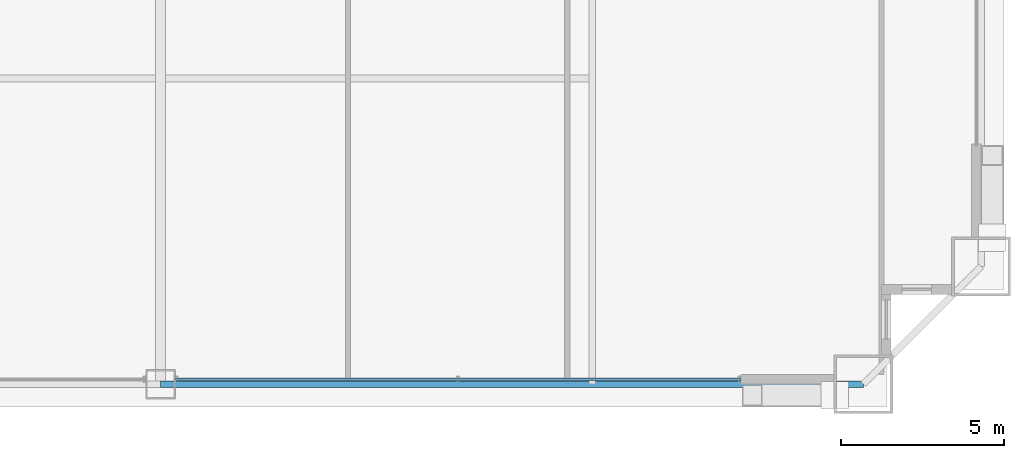
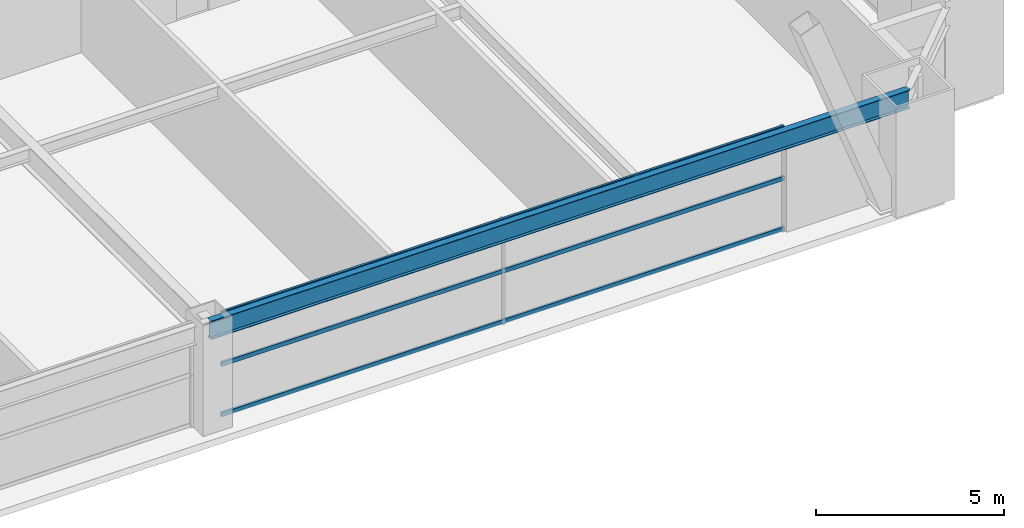
# One storey, part 14 of 43: 3 members, 1 beam, 1 element without a shape of its own.
"""IFC4 building model written with IfcOpenShell, lengths in metres."""

from ifc_helpers import new_model, si_unit, direction, frame, origin, origin_2d, place, context, subcontext, project, spatial, hollow_rectangle, i_section, extrude, source, transform, mapped, material, layer, layer_set, material_profile, profile_set, type_object, element, aggregate, save


model = new_model("IFC4")

# Units and contexts
model_context = context("Model", 3, precision=1e-05, world=origin(), true_north=direction((0.0, 1.0)))
body_context = subcontext(model_context, "Body", "Model", "MODEL_VIEW")
ifc_project = project(units=[si_unit("LENGTHUNIT", "METRE"), si_unit("AREAUNIT", "SQUARE_METRE"), si_unit("VOLUMEUNIT", "CUBIC_METRE"), si_unit("PLANEANGLEUNIT", "RADIAN"), si_unit("MASSUNIT", "GRAM", prefix="KILO"), si_unit("THERMODYNAMICTEMPERATUREUNIT", "KELVIN"), si_unit("POWERUNIT", "WATT")], contexts=[model_context])

# Site, building, storey
site_placement = place(None, origin())
site = spatial("IfcSite", under=ifc_project, at=site_placement, CompositionType="ELEMENT")
building_placement = place(site_placement, origin())
building = spatial("IfcBuilding", under=site, at=building_placement, Name="Yuzanri Waterfront Tower", CompositionType="ELEMENT")
storey_placement = place(building_placement, frame((0.0, 0.0, 46.0)))
storey = spatial("IfcBuildingStorey", under=building, at=storey_placement, Name="L11", CompositionType="ELEMENT", Elevation=46.0)

# Beam
ifc_material_1 = material(Name="Steel Q355B", Category="steel")
ifc_material_profile_1 = material_profile(ifc_material_1, i_section(OverallWidth=0.199951171875, OverallDepth=0.60009765625, WebThickness=0.010986328125, FlangeThickness=0.01708984375, at=origin_2d()), Name="HN 600x200x11x17")
ifc_profile_set_1 = profile_set([ifc_material_profile_1], Name="Steel Q355B")
beam_type = type_object("IfcBeamType", Name="Perimeter Spandrel Q355B HN 600x200", PredefinedType="SPANDREL", material=ifc_profile_set_1)
shared_shape_1 = source(origin(), body_context, "Body", "SweptSolid", [
    extrude(i_section(OverallWidth=0.199951171875, OverallDepth=0.60009765625, WebThickness=0.010986328125, FlangeThickness=0.01708984375, at=origin_2d()), origin(), (0.0, 0.0, 1.0), 21.5),
])
beam_placement = place(storey_placement, frame((37.0, 0.699951171875, 3.080078125), z_axis=(1.0, 0.0, 0.0), x_axis=(0.0, 1.0, 0.0)))
element("IfcBeam", 1, at=beam_placement, inside=storey, type_object=beam_type, Name="L11 Perimeter Spandrel S2-S3", PredefinedType="SPANDREL", context=body_context, shape_type="MappedRepresentation", body=[
    mapped(shared_shape_1, transform((0.0, 0.0, 0.0), scale=1.0)),
])

# Curtain wall, members
ifc_material_2 = material(Name="Anodized Architectural Bronze", Category="metal")
ifc_layer = layer(ifc_material_2, 0.159912109375)
ifc_layer_set = layer_set([ifc_layer], Name="Anodized Architectural Bronze")
curtain_wall_type = type_object("IfcCurtainWallType", Name="Anodized Bronze Hotel Lower-Tier Recessed Unitized Curtain Wall 8100", PredefinedType="NOTDEFINED", material=ifc_layer_set)
curtain_wall_placement = place(storey_placement, origin())
curtain_wall = element("IfcCurtainWall", 2, at=curtain_wall_placement, inside=storey, type_object=curtain_wall_type, Name="L11 Curtain Wall CW-L11-SR", PredefinedType="NOTDEFINED")
ifc_material_3 = material(Name="Anodized Architectural Bronze", Category="metal")
ifc_material_profile_2 = material_profile(ifc_material_3, hollow_rectangle(XDim=0.070068359375, YDim=0.135009765625, WallThickness=0.00341796875, at=origin_2d()), Name="CWT 70x135")
ifc_profile_set_2 = profile_set([ifc_material_profile_2], Name="Anodized Architectural Bronze")
member_type = type_object("IfcMemberType", Name="Anodized Bronze Standard Curtain-Wall Transom 70x135", PredefinedType="USERDEFINED", material=ifc_profile_set_2)
shared_shape_2 = source(origin(), body_context, "Body", "SweptSolid", [
    extrude(hollow_rectangle(XDim=0.070068359375, YDim=0.135009765625, WallThickness=0.00341796875, at=origin_2d()), origin(), (0.0, 0.0, 1.0), 17.300048828125),
])
member_1_placement = place(storey_placement, frame((37.449951171875, 0.85009765625, 0.050048828125), z_axis=(1.0, 0.0, 0.0), x_axis=(0.0, 1.0, 0.0)))
member_1 = element("IfcMember", 3, at=member_1_placement, type_object=member_type, Name="CW-L11-SR Transom 1", ObjectType="TRANSOM", PredefinedType="USERDEFINED", context=body_context, shape_type="MappedRepresentation", body=[
    mapped(shared_shape_2, transform((0.0, 0.0, 0.0), scale=1.0)),
])
member_2_placement = place(storey_placement, frame((37.449951171875, 0.85009765625, 1.68994140625), z_axis=(1.0, 0.0, 0.0), x_axis=(0.0, 1.0, 0.0)))
member_2 = element("IfcMember", 4, at=member_2_placement, type_object=member_type, Name="CW-L11-SR Transom 2", ObjectType="TRANSOM", PredefinedType="USERDEFINED", context=body_context, shape_type="MappedRepresentation", body=[
    mapped(shared_shape_2, transform((0.0, 0.0, 0.0), scale=1.0)),
])
member_3_placement = place(storey_placement, frame((37.449951171875, 0.85009765625, 3.330078125), z_axis=(1.0, 0.0, 0.0), x_axis=(0.0, 1.0, 0.0)))
member_3 = element("IfcMember", 5, at=member_3_placement, type_object=member_type, Name="CW-L11-SR Transom 3", ObjectType="TRANSOM", PredefinedType="USERDEFINED", context=body_context, shape_type="MappedRepresentation", body=[
    mapped(shared_shape_2, transform((0.0, 0.0, 0.0), scale=1.0)),
])
aggregate(curtain_wall, [member_1, member_2, member_3])

save(model, "model.ifc")
